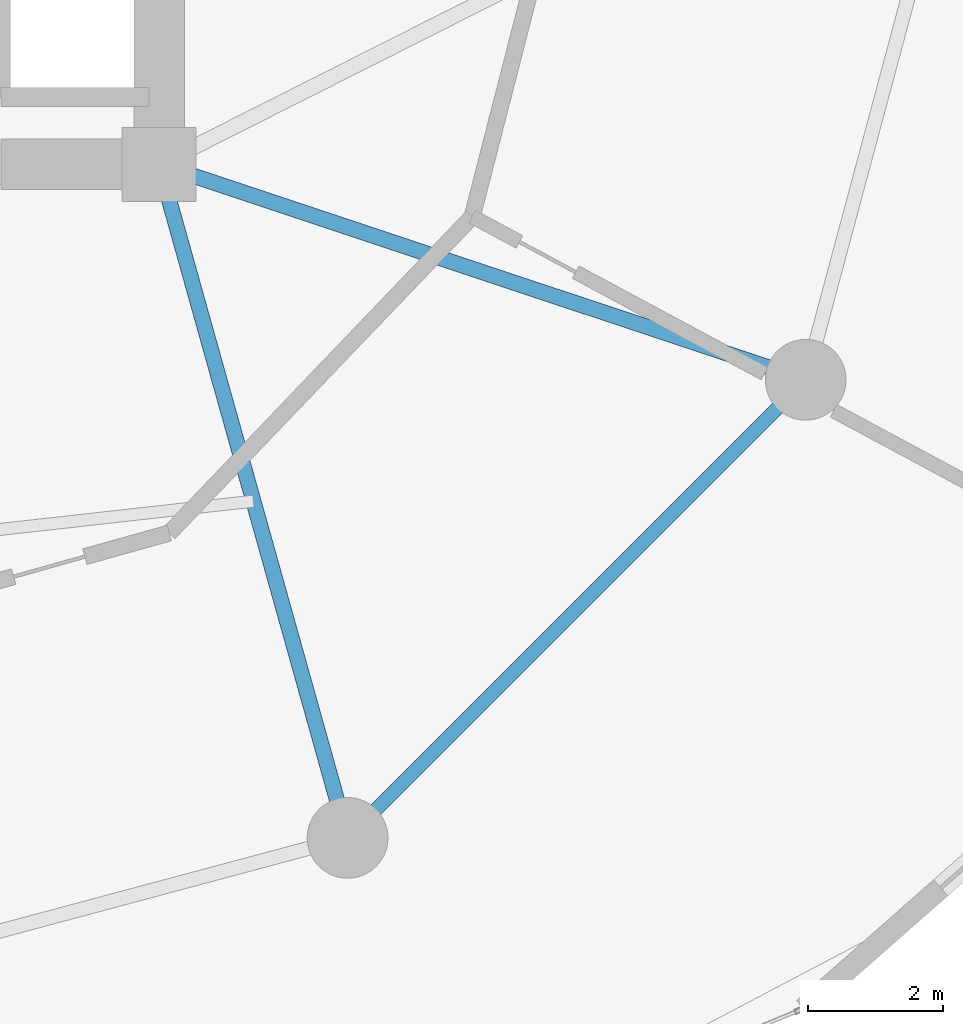
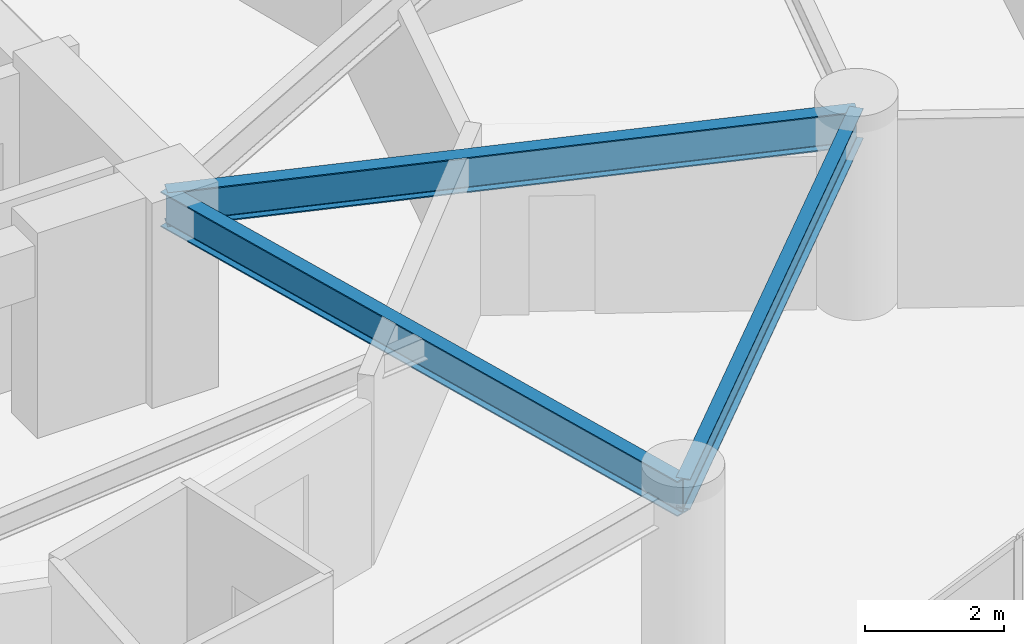
# One storey, part 10 of 26: 3 beams.
"""IFC4 building model written with IfcOpenShell, lengths in metres."""

from ifc_helpers import new_model, si_unit, direction, frame, origin, origin_2d, place, context, subcontext, project, spatial, i_section, extrude, material, material_profile, profile_set, type_object, element, save


model = new_model("IFC4")

# Units and contexts
model_context = context("Model", 3, precision=1e-05, world=origin(), true_north=direction((0.0, 1.0)))
body_context = subcontext(model_context, "Body", "Model", "MODEL_VIEW")
ifc_project = project(units=[si_unit("LENGTHUNIT", "METRE"), si_unit("AREAUNIT", "SQUARE_METRE"), si_unit("VOLUMEUNIT", "CUBIC_METRE"), si_unit("PLANEANGLEUNIT", "RADIAN"), si_unit("MASSUNIT", "GRAM", prefix="KILO")], contexts=[model_context])

# Site, building, storey
site_placement = place(None, origin())
site = spatial("IfcSite", under=ifc_project, at=site_placement, CompositionType="ELEMENT")
building_placement = place(site_placement, origin())
building = spatial("IfcBuilding", under=site, at=building_placement, Name="Solvirekh Grand Hotel", CompositionType="ELEMENT")
storey_placement = place(building_placement, frame((0.0, 0.0, 64.39990234375)))
storey = spatial("IfcBuildingStorey", under=building, at=storey_placement, Name="L15", CompositionType="ELEMENT", Elevation=64.39990234375)

# Beams
ifc_material = material(Name="Steel S355", Category="steel")
ifc_material_profile_1 = material_profile(ifc_material, i_section(OverallWidth=0.22802734375, OverallDepth=0.616943359375, WebThickness=0.012939453125, FlangeThickness=0.02001953125, FilletRadius=0.014892578125, at=origin_2d()), Name="W610X140")
ifc_profile_set_1 = profile_set([ifc_material_profile_1], Name="Steel S355")
beam_type_1 = type_object("IfcBeamType", Name="Beam_Radial_W610", PredefinedType="BEAM", material=ifc_profile_set_1)
beam_1_placement = place(storey_placement, frame((6.5, -6.10009765625, 3.031005859375), z_axis=(0.269439084681, -0.963017434757, 0.0), x_axis=(0.963017434757, 0.269439084681, 0.0)))
element("IfcBeam", 1, at=beam_1_placement, inside=storey, type_object=beam_type_1, Name="L15 radial floor beam R11", PredefinedType="BEAM", context=body_context, shape_type="SweptSolid", body=[
    extrude(i_section(OverallWidth=0.22802734375, OverallDepth=0.616943359375, WebThickness=0.012939453125, FlangeThickness=0.02001953125, FilletRadius=0.014892578125, at=origin_2d()), origin(), (0.0, 0.0, 1.0), 10.39208984375),
])
beam_2_placement = place(storey_placement, frame((6.5, -6.10009765625, 3.031005859375), z_axis=(0.948762825819, -0.315989082635, 0.0), x_axis=(0.315989082635, 0.948762825819, 0.0)))
element("IfcBeam", 2, at=beam_2_placement, inside=storey, type_object=beam_type_1, Name="L15 radial floor beam R12", PredefinedType="BEAM", context=body_context, shape_type="SweptSolid", body=[
    extrude(i_section(OverallWidth=0.22802734375, OverallDepth=0.616943359375, WebThickness=0.012939453125, FlangeThickness=0.02001953125, FilletRadius=0.014892578125, at=origin_2d()), origin(), (0.0, 0.0, 1.0), 10.126708984375),
])
ifc_material_profile_2 = material_profile(ifc_material, i_section(OverallWidth=0.208984375, OverallDepth=0.532958984375, WebThickness=0.010009765625, FlangeThickness=0.014892578125, FilletRadius=0.013916015625, at=origin_2d()), Name="W530X92")
ifc_profile_set_2 = profile_set([ifc_material_profile_2], Name="Steel S355")
beam_type_2 = type_object("IfcBeamType", Name="Spandrel_Ring_W530", PredefinedType="SPANDREL", material=ifc_profile_set_2)
beam_3_placement = place(storey_placement, frame((9.300048828125, -16.10791015625, 3.07421875), z_axis=(0.707106781187, 0.707106781187, 0.0), x_axis=(-0.707106781187, 0.707106781187, 0.0)))
element("IfcBeam", 3, at=beam_3_placement, inside=storey, type_object=beam_type_2, Name="L15 perimeter spandrel beam 11", PredefinedType="SPANDREL", context=body_context, shape_type="SweptSolid", body=[
    extrude(i_section(OverallWidth=0.208984375, OverallDepth=0.532958984375, WebThickness=0.010009765625, FlangeThickness=0.014892578125, FilletRadius=0.013916015625, at=origin_2d()), origin(), (0.0, 0.0, 1.0), 9.627685546875),
])

save(model, "model.ifc")
